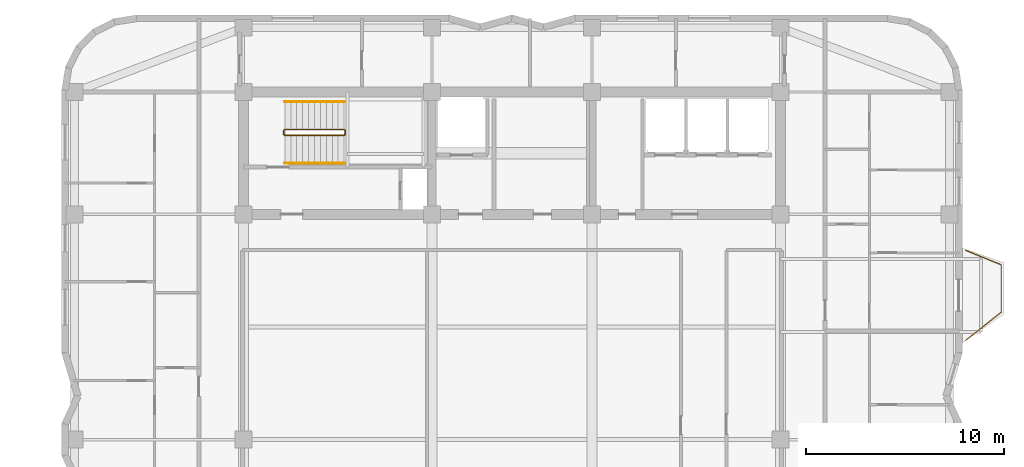
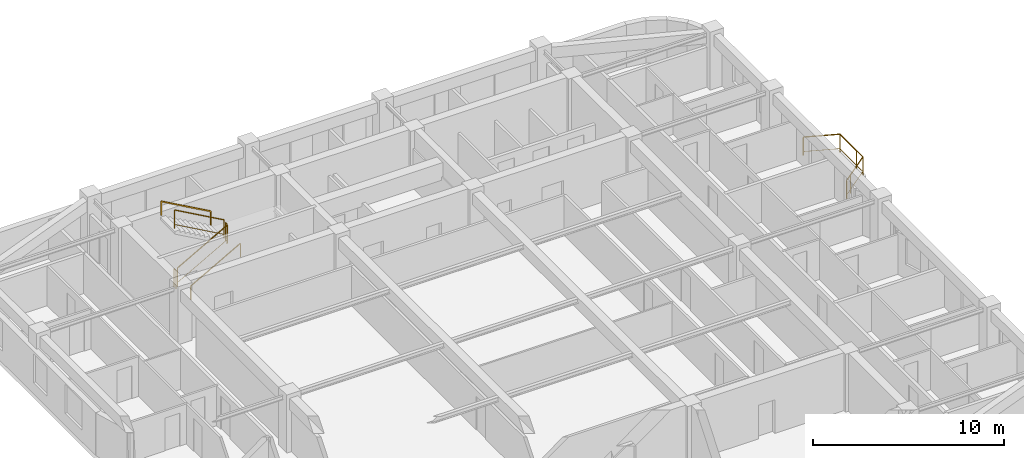
# One storey, part 9 of 9: 7 railings.
"""IFC4 building model written with IfcOpenShell, lengths in metres."""

import ifcopenshell
import ifcopenshell.guid

model = None  # the IFC model being written
_history = None  # IfcOwnerHistory: only IFC2X3 demands one
_inside = {}  # id of a spatial element -> (the spatial element, [elements in it])
_under = {}  # id of a project, library or spatial element -> (it, [spatial elements below it])
_declared = {}  # id of a project -> (the project, [libraries it declares])
_typed = {}  # id of a type object -> (the type object, [elements of that type])
_made_of = {}  # id of a material, layer set ... -> (it, [elements and type objects made of it])


def new_model(schema):
    """Start an empty IFC model of exactly this schema.

    Asked for "IFC4X3", IfcOpenShell would pick the latest addendum, in which some entities
    have other attributes; the version numbers below select the first issue.
    IFC2X3 requires an IfcOwnerHistory on every rooted entity: one is made here for all.
    """
    global model, _history
    if schema == "IFC4X3":
        model = ifcopenshell.file(schema_version=(4, 3, 0, 0))
    else:
        model = ifcopenshell.file(schema=schema)
    _inside.clear()
    _under.clear()
    _declared.clear()
    _typed.clear()
    _made_of.clear()
    _history = None
    if model.schema == "IFC2X3":
        org = make("IfcOrganization", Name="unknown")
        user = make(
            "IfcPersonAndOrganization",
            ThePerson=make("IfcPerson", FamilyName="unknown"),
            TheOrganization=org,
        )
        app = make(
            "IfcApplication",
            ApplicationDeveloper=org,
            Version="unknown",
            ApplicationFullName="unknown",
            ApplicationIdentifier="unknown",
        )
        _history = make(
            "IfcOwnerHistory",
            OwningUser=user,
            OwningApplication=app,
            ChangeAction="ADDED",
            CreationDate=0,
        )
    return model


def make(cls, **values):
    """One entity of the class cls with the attributes given. An attribute that is None is left unset."""
    return model.create_entity(
        cls, **{name: value for name, value in values.items() if value is not None}
    )


def rooted(cls, **values):
    """An entity with a GlobalId (a new one), such as an element, a storey or a relation."""
    return make(cls, GlobalId=ifcopenshell.guid.new(), OwnerHistory=_history, **values)


def si_unit(unit_type, name, prefix=None):
    """IfcSIUnit, for example si_unit("LENGTHUNIT", "METRE", prefix="MILLI")."""
    return make("IfcSIUnit", UnitType=unit_type, Prefix=prefix, Name=name)


def assignment(units):
    """IfcUnitAssignment: the units of a project."""
    return None if units is None else make("IfcUnitAssignment", Units=units)


def point(xyz):
    """IfcCartesianPoint."""
    return None if xyz is None else make("IfcCartesianPoint", Coordinates=xyz)


def direction(xyz):
    """IfcDirection."""
    return None if xyz is None else make("IfcDirection", DirectionRatios=xyz)


def frame(location, z_axis=None, x_axis=None):
    """IfcAxis2Placement3D, a coordinate frame: its origin and axes. An axis left out is left unset."""
    return make(
        "IfcAxis2Placement3D",
        Location=point(location),
        Axis=direction(z_axis),
        RefDirection=direction(x_axis),
    )


def frame_2d(location, x_axis=None):
    """IfcAxis2Placement2D, a coordinate frame in the plane: its origin and x axis."""
    return make(
        "IfcAxis2Placement2D", Location=point(location), RefDirection=direction(x_axis)
    )


def origin():
    """The frame at (0, 0, 0) with its axes left unset."""
    return frame((0.0, 0.0, 0.0))


def origin_2d():
    """The frame at (0, 0) in the plane with its x axis left unset."""
    return frame_2d((0.0, 0.0))


def place(relative_to, where):
    """IfcLocalPlacement: puts the frame where relative to a parent placement (None: the world)."""
    return make(
        "IfcLocalPlacement", PlacementRelTo=relative_to, RelativePlacement=where
    )


def context(
    kind, dimensions, precision=None, world=None, true_north=None, identifier=None
):
    """IfcGeometricRepresentationContext, for example the 3D "Model" context."""
    return make(
        "IfcGeometricRepresentationContext",
        ContextIdentifier=identifier,
        ContextType=kind,
        CoordinateSpaceDimension=dimensions,
        Precision=precision,
        WorldCoordinateSystem=world,
        TrueNorth=true_north,
    )


def subcontext(parent, identifier, kind, view, scale=None):
    """IfcGeometricRepresentationSubContext, for example "Body" below "Model"."""
    return make(
        "IfcGeometricRepresentationSubContext",
        ContextIdentifier=identifier,
        ContextType=kind,
        ParentContext=parent,
        TargetScale=scale,
        TargetView=view,
    )


def project(units=None, contexts=None):
    """IfcProject with its units and contexts."""
    return rooted(
        "IfcProject",
        Name="project",
        RepresentationContexts=contexts,
        UnitsInContext=assignment(units),
    )


def spatial(cls, under=None, at=None, **own):
    """A site, building, storey or space (cls), placed at a placement, below another one or the project."""
    s = rooted(cls, ObjectPlacement=at, **own)
    if under is not None:
        _under.setdefault(under.id(), (under, []))[1].append(s)
    return s


def profile(cls, at=None, kind="AREA", **sizes):
    """A parametric profile (cls). Its sizes go by their IFC names, for example OverallWidth=200.0."""
    return make(cls, ProfileType=kind, Position=at, **sizes)


def rectangle(**sizes):
    """IfcRectangleProfileDef."""
    return profile("IfcRectangleProfileDef", **sizes)


def extrude(swept, where, along, depth):
    """IfcExtrudedAreaSolid: the profile swept, set in the frame where, extruded along a direction by depth."""
    return make(
        "IfcExtrudedAreaSolid",
        SweptArea=swept,
        Position=where,
        ExtrudedDirection=direction(along),
        Depth=depth,
    )


def shape(context_of_items, identifier, shape_type, items):
    """IfcShapeRepresentation: the items that make up one representation, for example the "Body"."""
    return make(
        "IfcShapeRepresentation",
        ContextOfItems=context_of_items,
        RepresentationIdentifier=identifier,
        RepresentationType=shape_type,
        Items=items,
    )


def material(Name=None, Category=None):
    """IfcMaterial."""
    return make("IfcMaterial", Name=Name, Category=Category)


def made_of(thing, what):
    """Note that an element or type object is made of a material, layer set ...; save() writes the relation."""
    if what is not None:
        _made_of.setdefault(what.id(), (what, []))[1].append(thing)
    return thing


def type_object(cls, material=None, **own):
    """A type object (cls), such as IfcWallType, which elements share."""
    return made_of(rooted(cls, **own), material)


def element(
    cls,
    number,
    at=None,
    inside=None,
    cuts=None,
    type_object=None,
    material=None,
    context=None,
    identifier="Body",
    shape_type=None,
    held_by="IfcProductDefinitionShape",
    body=None,
    shapes=None,
    **own,
):
    """One element of the class cls, such as IfcWall. Its Tag is "e" and its number.

    at: its placement. inside: the storey or other place that contains it. cuts: it is an
    opening in that element (IfcRelVoidsElement). A single representation is given by context,
    identifier, shape_type and body (its items); several are given by shapes. held_by: the class
    of the entity that holds the representations. save() writes the other relations.
    """
    e = rooted(cls, Tag="e%d" % number, ObjectPlacement=at, **own)
    if body is not None:
        shapes = [shape(context, identifier, shape_type, body)]
    if shapes is not None:
        e.Representation = make(held_by, Representations=shapes)
    if inside is not None:
        _inside.setdefault(inside.id(), (inside, []))[1].append(e)
    if cuts is not None:
        rooted(
            "IfcRelVoidsElement", RelatingBuildingElement=cuts, RelatedOpeningElement=e
        )
    if type_object is not None:
        _typed.setdefault(type_object.id(), (type_object, []))[1].append(e)
    return made_of(e, material)


def aggregate(whole, parts):
    """IfcRelAggregates: a whole, such as a stair, and the parts it consists of."""
    return rooted("IfcRelAggregates", RelatingObject=whole, RelatedObjects=parts)


def save(model, path):
    """Write the relations noted so far, then the file.

    IfcRelAggregates (storeys below a building ...), IfcRelContainedInSpatialStructure (elements
    in a storey), IfcRelDefinesByType, IfcRelAssociatesMaterial and IfcRelDeclares: one each for
    every whole, place, type object, material and project.
    """
    for whole, parts in _under.values():
        aggregate(whole, parts)
    for where, things in _inside.values():
        rooted(
            "IfcRelContainedInSpatialStructure",
            RelatedElements=things,
            RelatingStructure=where,
        )
    for kind, things in _typed.values():
        rooted("IfcRelDefinesByType", RelatedObjects=things, RelatingType=kind)
    for what, things in _made_of.values():
        rooted("IfcRelAssociatesMaterial", RelatedObjects=things, RelatingMaterial=what)
    for by, libraries in _declared.values():
        rooted("IfcRelDeclares", RelatingContext=by, RelatedDefinitions=libraries)
    model.write(path)


model = new_model("IFC4")

# Units and contexts
model_context = context("Model", 3, precision=1e-05, world=origin(), true_north=direction((0.0, 1.0)))
body_context = subcontext(model_context, "Body", "Model", "MODEL_VIEW")
ifc_project = project(units=[si_unit("LENGTHUNIT", "METRE"), si_unit("AREAUNIT", "SQUARE_METRE"), si_unit("VOLUMEUNIT", "CUBIC_METRE"), si_unit("PLANEANGLEUNIT", "RADIAN"), si_unit("MASSUNIT", "GRAM", prefix="KILO")], contexts=[model_context])

# Site, building, storey
site_placement = place(None, origin())
site = spatial("IfcSite", under=ifc_project, at=site_placement, CompositionType="ELEMENT")
building_placement = place(site_placement, origin())
building = spatial("IfcBuilding", under=site, at=building_placement, Name="Svetorya Sky Lyceum", CompositionType="ELEMENT")
storey_placement = place(building_placement, frame((0.0, 0.0, 207.300048828125)))
storey = spatial("IfcBuildingStorey", under=building, at=storey_placement, Name="L51", CompositionType="ELEMENT", Elevation=207.300048828125)

# Railings
ifc_material_1 = material(Name="Laminated safety glass and stainless AISI 316", Category="glass")
railing_type_1 = type_object("IfcRailingType", Name="RL-BAL-1200", PredefinedType="BALUSTRADE", material=ifc_material_1)
railing_1_placement = place(storey_placement, frame((62.169921875, 37.780029296875, 0.0)))
element("IfcRailing", 1, at=railing_1_placement, inside=storey, type_object=railing_type_1, Name="L51 Balcony Balustrade BAL-E1", PredefinedType="BALUSTRADE", context=body_context, shape_type="SweptSolid", body=[
    extrude(rectangle(XDim=0.048095703125, YDim=0.048095703125, at=origin_2d()), frame((0.0, 0.0, 1.17578125), z_axis=(0.926697865975, -0.375807218129, 0.0), x_axis=(0.375807218129, 0.926697865975, 0.0)), (0.0, 0.0, 1.0), 1.9423828125),
    extrude(rectangle(XDim=0.02392578125, YDim=0.02392578125, at=origin_2d()), frame((0.0, 0.0, 0.25), z_axis=(0.926697865975, -0.375807218129, 0.0), x_axis=(0.375807218129, 0.926697865975, 0.0)), (0.0, 0.0, 1.0), 1.9423828125),
    extrude(rectangle(XDim=0.048095703125, YDim=0.048095703125, at=origin_2d()), frame((1.800048828125, -0.72998046875, 1.17578125), z_axis=(0.0, -1.0, 0.0), x_axis=(1.0, 0.0, 0.0)), (0.0, 0.0, 1.0), 2.400146484375),
    extrude(rectangle(XDim=0.02392578125, YDim=0.02392578125, at=origin_2d()), frame((1.800048828125, -0.72998046875, 0.25), z_axis=(0.0, -1.0, 0.0), x_axis=(1.0, 0.0, 0.0)), (0.0, 0.0, 1.0), 2.400146484375),
    extrude(rectangle(XDim=0.048095703125, YDim=0.048095703125, at=origin_2d()), frame((1.800048828125, -3.130126953125, 1.17578125), z_axis=(-0.783008919264, -0.622010476079, 0.0), x_axis=(0.622010476079, -0.783008919264, 0.0)), (0.0, 0.0, 1.0), 2.298828125),
    extrude(rectangle(XDim=0.02392578125, YDim=0.02392578125, at=origin_2d()), frame((1.800048828125, -3.130126953125, 0.25), z_axis=(-0.783008919264, -0.622010476079, 0.0), x_axis=(0.622010476079, -0.783008919264, 0.0)), (0.0, 0.0, 1.0), 2.298828125),
    extrude(rectangle(XDim=0.0419921875, YDim=0.0419921875, at=origin_2d()), origin(), (0.0, 0.0, 1.0), 1.15185546875),
    extrude(rectangle(XDim=0.0419921875, YDim=0.0419921875, at=origin_2d()), frame((1.800048828125, -0.72998046875, 0.0)), (0.0, 0.0, 1.0), 1.15185546875),
    extrude(rectangle(XDim=0.0419921875, YDim=0.0419921875, at=origin_2d()), frame((1.800048828125, -2.47998046875, 0.0)), (0.0, 0.0, 1.0), 1.15185546875),
    extrude(rectangle(XDim=0.0419921875, YDim=0.0419921875, at=origin_2d()), frame((1.800048828125, -3.130126953125, 0.0)), (0.0, 0.0, 1.0), 1.15185546875),
    extrude(rectangle(XDim=0.0419921875, YDim=0.0419921875, at=origin_2d()), frame((0.4296875, -4.21875, 0.0)), (0.0, 0.0, 1.0), 1.15185546875),
    extrude(rectangle(XDim=0.0419921875, YDim=0.0419921875, at=origin_2d()), frame((0.0, -4.56005859375, 0.0)), (0.0, 0.0, 1.0), 1.15185546875),
])
ifc_material_2 = material(Name="Painted galvanized stair well guard")
railing_type_2 = type_object("IfcRailingType", Name="RL-STR-GUARD-1200", PredefinedType="GUARDRAIL", material=ifc_material_2)
railing_2_placement = place(storey_placement, frame((27.699951171875, 43.60009765625, 0.168212890625)))
element("IfcRailing", 2, at=railing_2_placement, inside=storey, type_object=railing_type_2, Name="L51 ST-N stair guard 1", PredefinedType="GUARDRAIL", context=body_context, shape_type="SweptSolid", body=[
    extrude(rectangle(XDim=0.048095703125, YDim=0.048095703125, at=origin_2d()), frame((0.0, 0.0, 1.17578125), z_axis=(0.872302573547, 0.0, 0.488966481656), x_axis=(0.0, 1.0, 0.0)), (0.0, 0.0, 1.0), 3.439208984375),
    extrude(rectangle(XDim=0.02392578125, YDim=0.02392578125, at=origin_2d()), frame((0.0, 0.0, 0.25), z_axis=(0.872302573547, 0.0, 0.488966481656), x_axis=(0.0, 1.0, 0.0)), (0.0, 0.0, 1.0), 3.439208984375),
    extrude(rectangle(XDim=0.0419921875, YDim=0.0419921875, at=origin_2d()), origin(), (0.0, 0.0, 1.0), 1.15185546875),
    extrude(rectangle(XDim=0.0419921875, YDim=0.0419921875, at=origin_2d()), frame((3.0, 0.0, 1.681640625)), (0.0, 0.0, 1.0), 1.15185546875),
])
railing_3_placement = place(storey_placement, frame((30.75, 43.64990234375, 1.849853515625)))
element("IfcRailing", 3, at=railing_3_placement, inside=storey, type_object=railing_type_2, Name="L51 ST-N stair guard 2", PredefinedType="GUARDRAIL", context=body_context, shape_type="SweptSolid", body=[
    extrude(rectangle(XDim=0.048095703125, YDim=0.048095703125, at=origin_2d()), frame((0.0, 0.0, 1.17578125), z_axis=(0.0, 1.0, 0.0), x_axis=(-1.0, 0.0, 0.0)), (0.0, 0.0, 1.0), 0.2001953125),
    extrude(rectangle(XDim=0.02392578125, YDim=0.02392578125, at=origin_2d()), frame((0.0, 0.0, 0.25), z_axis=(0.0, 1.0, 0.0), x_axis=(-1.0, 0.0, 0.0)), (0.0, 0.0, 1.0), 0.2001953125),
    extrude(rectangle(XDim=0.0419921875, YDim=0.0419921875, at=origin_2d()), origin(), (0.0, 0.0, 1.0), 1.15185546875),
    extrude(rectangle(XDim=0.0419921875, YDim=0.0419921875, at=origin_2d()), frame((0.0, 0.2001953125, 0.0)), (0.0, 0.0, 1.0), 1.15185546875),
])
railing_4_placement = place(storey_placement, frame((30.699951171875, 43.89990234375, 2.01806640625)))
element("IfcRailing", 4, at=railing_4_placement, inside=storey, type_object=railing_type_2, Name="L51 ST-N stair guard 3", PredefinedType="GUARDRAIL", context=body_context, shape_type="SweptSolid", body=[
    extrude(rectangle(XDim=0.048095703125, YDim=0.048095703125, at=origin_2d()), frame((0.0, 0.0, 1.17578125), z_axis=(-0.872272294576, 0.0, 0.489020494575), x_axis=(0.0, -1.0, 0.0)), (0.0, 0.0, 1.0), 3.439208984375),
    extrude(rectangle(XDim=0.02392578125, YDim=0.02392578125, at=origin_2d()), frame((0.0, 0.0, 0.25), z_axis=(-0.872272294576, 0.0, 0.489020494575), x_axis=(0.0, -1.0, 0.0)), (0.0, 0.0, 1.0), 3.439208984375),
    extrude(rectangle(XDim=0.0419921875, YDim=0.0419921875, at=origin_2d()), origin(), (0.0, 0.0, 1.0), 1.15185546875),
    extrude(rectangle(XDim=0.0419921875, YDim=0.0419921875, at=origin_2d()), frame((-3.0, 0.0, 1.681884765625)), (0.0, 0.0, 1.0), 1.15185546875),
])
railing_5_placement = place(storey_placement, frame((27.64990234375, 43.64990234375, 0.0)))
element("IfcRailing", 5, at=railing_5_placement, inside=storey, type_object=railing_type_2, Name="L51 ST-N stair guard 4", PredefinedType="GUARDRAIL", context=body_context, shape_type="SweptSolid", body=[
    extrude(rectangle(XDim=0.048095703125, YDim=0.048095703125, at=origin_2d()), frame((0.0, 0.0, 1.17578125), z_axis=(0.0, 1.0, 0.0), x_axis=(-1.0, 0.0, 0.0)), (0.0, 0.0, 1.0), 0.2001953125),
    extrude(rectangle(XDim=0.02392578125, YDim=0.02392578125, at=origin_2d()), frame((0.0, 0.0, 0.25), z_axis=(0.0, 1.0, 0.0), x_axis=(-1.0, 0.0, 0.0)), (0.0, 0.0, 1.0), 0.2001953125),
    extrude(rectangle(XDim=0.0419921875, YDim=0.0419921875, at=origin_2d()), origin(), (0.0, 0.0, 1.0), 1.15185546875),
    extrude(rectangle(XDim=0.0419921875, YDim=0.0419921875, at=origin_2d()), frame((0.0, 0.2001953125, 0.0)), (0.0, 0.0, 1.0), 1.15185546875),
])
ifc_material_3 = material(Name="Brushed stainless AISI 304 stair handrail")
railing_type_3 = type_object("IfcRailingType", Name="RL-STR-HAND-920", PredefinedType="HANDRAIL", material=ifc_material_3)
railing_6_placement = place(storey_placement, frame((27.699951171875, 42.199951171875, 0.168212890625)))
element("IfcRailing", 6, at=railing_6_placement, inside=storey, type_object=railing_type_3, Name="L51 ST-N stair handrail 1", PredefinedType="HANDRAIL", context=body_context, shape_type="SweptSolid", body=[
    extrude(rectangle(XDim=0.048095703125, YDim=0.048095703125, at=origin_2d()), frame((0.0, 0.0, 0.8759765625), z_axis=(0.872302573547, 0.0, 0.488966481656), x_axis=(0.0, 1.0, 0.0)), (0.0, 0.0, 1.0), 3.439208984375),
    extrude(rectangle(XDim=0.0419921875, YDim=0.0419921875, at=origin_2d()), origin(), (0.0, 0.0, 1.0), 0.851806640625),
    extrude(rectangle(XDim=0.0419921875, YDim=0.0419921875, at=origin_2d()), frame((3.0, 0.0, 1.681640625)), (0.0, 0.0, 1.0), 0.851806640625),
])
railing_7_placement = place(storey_placement, frame((30.699951171875, 45.300048828125, 2.01806640625)))
element("IfcRailing", 7, at=railing_7_placement, inside=storey, type_object=railing_type_3, Name="L51 ST-N stair handrail 2", PredefinedType="HANDRAIL", context=body_context, shape_type="SweptSolid", body=[
    extrude(rectangle(XDim=0.048095703125, YDim=0.048095703125, at=origin_2d()), frame((0.0, 0.0, 0.8759765625), z_axis=(-0.872272294576, 0.0, 0.489020494575), x_axis=(0.0, -1.0, 0.0)), (0.0, 0.0, 1.0), 3.439208984375),
    extrude(rectangle(XDim=0.0419921875, YDim=0.0419921875, at=origin_2d()), origin(), (0.0, 0.0, 1.0), 0.851806640625),
    extrude(rectangle(XDim=0.0419921875, YDim=0.0419921875, at=origin_2d()), frame((-3.0, 0.0, 1.681884765625)), (0.0, 0.0, 1.0), 0.851806640625),
])

save(model, "model.ifc")
